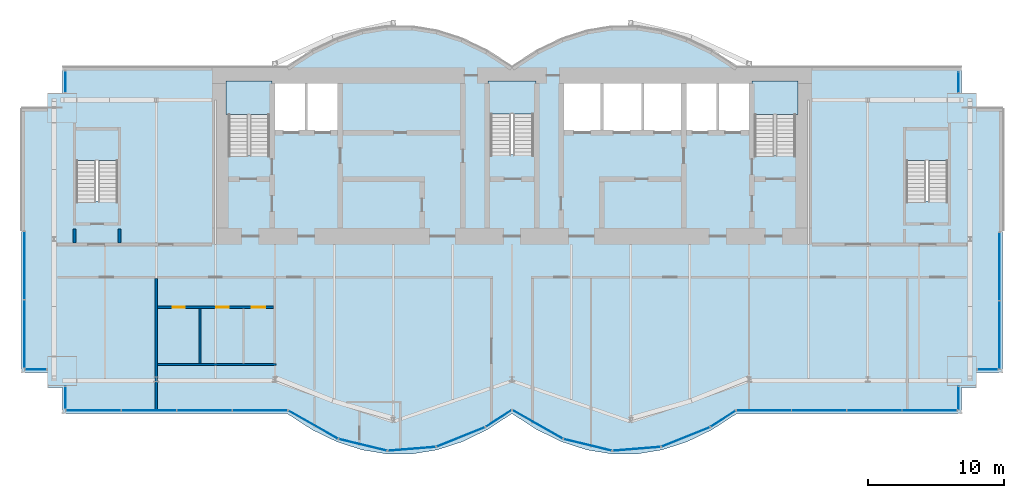
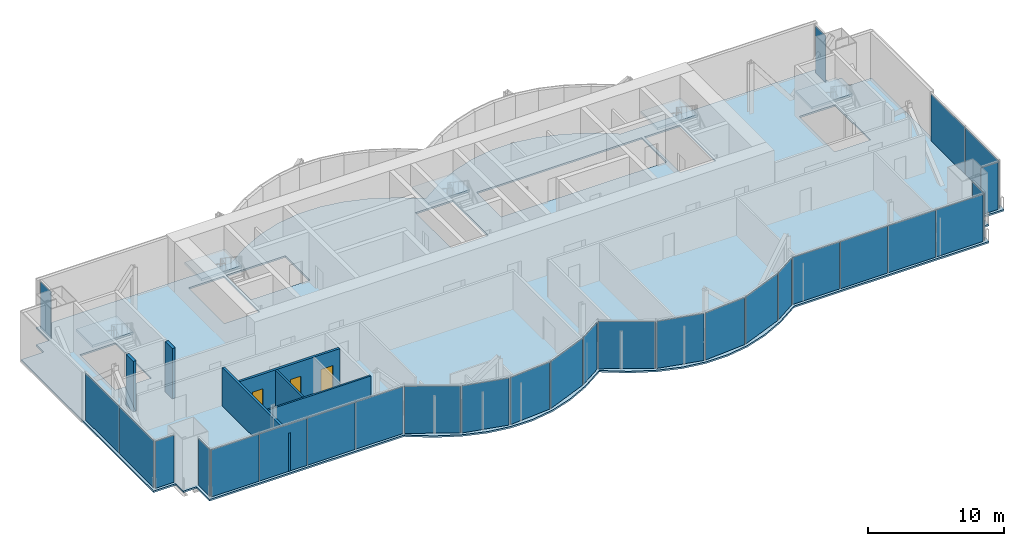
# One storey, part 9 of 16: 28 plates, 6 slabs, 6 walls, 3 doors, 3 openings, 17 elements without a shape of their own.
"""IFC4 building model written with IfcOpenShell, lengths in metres."""

from ifc_helpers import new_model, si_unit, direction, frame, frame_2d, origin, origin_2d, place, context, subcontext, project, spatial, polyline, rectangle, outline, extrude, material, layer, layer_set, type_object, element, fill, aggregate, save


model = new_model("IFC4")

# Units and contexts
model_context = context("Model", 3, precision=1e-05, world=origin(), true_north=direction((0.0, 1.0)))
body_context = subcontext(model_context, "Body", "Model", "MODEL_VIEW")
ifc_project = project(units=[si_unit("LENGTHUNIT", "METRE"), si_unit("AREAUNIT", "SQUARE_METRE"), si_unit("VOLUMEUNIT", "CUBIC_METRE"), si_unit("PLANEANGLEUNIT", "RADIAN"), si_unit("MASSUNIT", "GRAM", prefix="KILO")], contexts=[model_context])

# Site, building, storey
site_placement = place(None, origin())
site = spatial("IfcSite", under=ifc_project, at=site_placement, CompositionType="ELEMENT")
building_placement = place(site_placement, origin())
building = spatial("IfcBuilding", under=site, at=building_placement, Name="Bicima Exchange Tower", CompositionType="ELEMENT")
storey_placement = place(building_placement, frame((0.0, 0.0, 329.0)))
storey = spatial("IfcBuildingStorey", under=building, at=storey_placement, Name="L74", CompositionType="ELEMENT", Elevation=329.0)

# Slab
ifc_material_1 = material(Name="Concrete C40/50", Category="concrete")
ifc_layer_1 = layer(ifc_material_1, 0.14990234375)
ifc_layer_set_1 = layer_set([ifc_layer_1], Name="Concrete C40/50")
slab_type_1 = type_object("IfcSlabType", Name="Composite floor slab 150", PredefinedType="FLOOR", material=ifc_layer_set_1)
slab_1_placement = place(storey_placement, frame((0.0, 0.0, -0.14990234375)))
element("IfcSlab", 1, at=slab_1_placement, inside=storey, type_object=slab_type_1, Name="Floor slab", PredefinedType="FLOOR", context=body_context, shape_type="SweptSolid", body=[
    extrude(outline(polyline([(-36.0, -22.407958984375), (-36.0, -3.0), (-34.10009765625, -3.0), (-34.10009765625, -1.89990234375), (-33.0, -1.89990234375), (-33.0, 0.0), (-16.5, 0.0), (-14.666748046875, 1.185302734375), (-12.833251953125, 2.07421875), (-11.0, 2.666748046875), (-9.166748046875, 2.962890625), (-7.333251953125, 2.962890625), (-5.5, 2.666748046875), (-3.666748046875, 2.07421875), (-1.833251953125, 1.185302734375), (0.0, 0.0), (1.833251953125, 1.185302734375), (3.666748046875, 2.07421875), (5.5, 2.666748046875), (7.333251953125, 2.962890625), (9.166748046875, 2.962890625), (11.0, 2.666748046875), (12.833251953125, 2.07421875), (14.666748046875, 1.185302734375), (16.5, 0.0), (33.0, 0.0), (33.0, -1.89990234375), (34.10009765625, -1.89990234375), (34.10009765625, -3.0), (36.0, -3.0), (36.0, -22.407958984375), (34.10009765625, -22.407958984375), (34.10009765625, -23.508056640625), (33.0, -23.508056640625), (33.0, -25.407958984375), (16.5, -25.407958984375), (14.666748046875, -26.59326171875), (12.833251953125, -27.482177734375), (11.0, -28.07470703125), (9.166748046875, -28.37109375), (7.333251953125, -28.37109375), (5.5, -28.07470703125), (3.666748046875, -27.482177734375), (1.833251953125, -26.59326171875), (0.0, -25.407958984375), (-1.833251953125, -26.59326171875), (-3.666748046875, -27.482177734375), (-5.5, -28.07470703125), (-7.333251953125, -28.37109375), (-9.166748046875, -28.37109375), (-11.0, -28.07470703125), (-12.833251953125, -27.482177734375), (-14.666748046875, -26.59326171875), (-16.5, -25.407958984375), (-33.0, -25.407958984375), (-33.0, -23.508056640625), (-34.10009765625, -23.508056640625), (-34.10009765625, -22.407958984375), (-36.0, -22.407958984375)]), holes=[polyline([(-28.925048828125, -9.824951171875), (-28.925048828125, -4.625), (-31.97509765625, -4.625), (-31.97509765625, -9.824951171875), (-28.925048828125, -9.824951171875)]), polyline([(-20.800048828125, -6.449951171875), (-17.800048828125, -6.449951171875), (-17.800048828125, -1.199951171875), (-20.800048828125, -1.199951171875), (-20.800048828125, -6.449951171875)]), polyline([(-1.574951171875, -6.39990234375), (1.574951171875, -6.39990234375), (1.574951171875, -1.199951171875), (-1.574951171875, -1.199951171875), (-1.574951171875, -6.39990234375)]), polyline([(-12.60009765625, -1.199951171875), (-15.10009765625, -1.199951171875), (-17.60009765625, -1.199951171875), (-17.60009765625, -4.800048828125), (-15.10009765625, -4.800048828125), (-12.60009765625, -4.800048828125), (-12.60009765625, -1.199951171875)]), polyline([(3.60009765625, -4.800048828125), (6.60009765625, -4.800048828125), (9.60009765625, -4.800048828125), (12.60009765625, -4.800048828125), (15.10009765625, -4.800048828125), (17.60009765625, -4.800048828125), (17.60009765625, -1.199951171875), (15.10009765625, -1.199951171875), (12.60009765625, -1.199951171875), (9.60009765625, -1.199951171875), (6.60009765625, -1.199951171875), (3.60009765625, -1.199951171875), (3.60009765625, -4.800048828125)]), polyline([(31.97509765625, -9.824951171875), (31.97509765625, -4.625), (28.925048828125, -4.625), (28.925048828125, -9.824951171875), (31.97509765625, -9.824951171875)]), polyline([(17.800048828125, -6.449951171875), (20.800048828125, -6.449951171875), (20.800048828125, -1.199951171875), (17.800048828125, -1.199951171875), (17.800048828125, -6.449951171875)])]), origin(), (0.0, 0.0, 1.0), 0.14990234375),
])

# Curtain wall, plates
ifc_material_2 = material(Name="Anodised bronze aluminium", Category="aluminium")
curtain_wall_type_1 = type_object("IfcCurtainWallType", Name="End face glass wall", PredefinedType="NOTDEFINED", material=ifc_material_2)
curtain_wall_1_placement = place(storey_placement, origin())
curtain_wall_1 = element("IfcCurtainWall", 2, at=curtain_wall_1_placement, inside=storey, type_object=curtain_wall_type_1, Name="End face glass wall L74 run 2", PredefinedType="NOTDEFINED")
ifc_material_3 = material(Name="Bronze anodised aluminium", Category="aluminium")
ifc_layer_2 = layer(ifc_material_3, 0.031982421875)
ifc_layer_set_2 = layer_set([ifc_layer_2], Name="Bronze anodised aluminium")
plate_type_1 = type_object("IfcPlateType", Name="End face glass wall spandrel panel 32", PredefinedType="CURTAIN_PANEL", material=ifc_layer_set_2)
plate_1_placement = place(storey_placement, frame((-35.77001953125, -14.53955078125, 0.0), z_axis=(0.0, 0.0, 1.0), x_axis=(0.0, -1.0, 0.0)))
plate_1 = element("IfcPlate", 3, at=plate_1_placement, type_object=plate_type_1, Name="End face spandrel wall panel 1.1", PredefinedType="CURTAIN_PANEL", context=body_context, shape_type="SweptSolid", body=[
    extrude(rectangle(XDim=4.958984375, YDim=0.031982421875, at=origin_2d()), origin(), (0.0, 0.0, 1.0), 4.2099609375),
])
plate_2_placement = place(storey_placement, frame((-35.77001953125, -19.55859375, 0.0), z_axis=(0.0, 0.0, 1.0), x_axis=(0.0, -1.0, 0.0)))
plate_2 = element("IfcPlate", 4, at=plate_2_placement, type_object=plate_type_1, Name="End face spandrel wall panel 2.1", PredefinedType="CURTAIN_PANEL", context=body_context, shape_type="SweptSolid", body=[
    extrude(rectangle(XDim=4.958984375, YDim=0.031982421875, at=origin_2d()), origin(), (0.0, 0.0, 1.0), 4.2099609375),
])
aggregate(curtain_wall_1, [plate_1, plate_2])

curtain_wall_2_placement = place(storey_placement, origin())
curtain_wall_2 = element("IfcCurtainWall", 5, at=curtain_wall_2_placement, inside=storey, type_object=curtain_wall_type_1, Name="End face glass wall L74 run 19", PredefinedType="NOTDEFINED")
plate_3_placement = place(storey_placement, frame((35.77001953125, -19.638427734375, 0.0), z_axis=(0.0, 0.0, 1.0), x_axis=(0.0, 1.0, 0.0)))
plate_3 = element("IfcPlate", 6, at=plate_3_placement, type_object=plate_type_1, Name="End face spandrel wall panel 1.1", PredefinedType="CURTAIN_PANEL", context=body_context, shape_type="SweptSolid", body=[
    extrude(rectangle(XDim=4.958984375, YDim=0.031982421875, at=origin_2d()), origin(), (0.0, 0.0, 1.0), 4.2099609375),
])
plate_4_placement = place(storey_placement, frame((35.77001953125, -14.619384765625, 0.0), z_axis=(0.0, 0.0, 1.0), x_axis=(0.0, 1.0, 0.0)))
plate_4 = element("IfcPlate", 7, at=plate_4_placement, type_object=plate_type_1, Name="End face spandrel wall panel 2.1", PredefinedType="CURTAIN_PANEL", context=body_context, shape_type="SweptSolid", body=[
    extrude(rectangle(XDim=4.958984375, YDim=0.031982421875, at=origin_2d()), origin(), (0.0, 0.0, 1.0), 4.2099609375),
])
aggregate(curtain_wall_2, [plate_3, plate_4])

# Curtain wall, plate
curtain_wall_type_2 = type_object("IfcCurtainWallType", Name="Front glass wall", PredefinedType="NOTDEFINED", material=ifc_material_2)
curtain_wall_3_placement = place(storey_placement, origin())
curtain_wall_3 = element("IfcCurtainWall", 8, at=curtain_wall_3_placement, inside=storey, type_object=curtain_wall_type_2, Name="Front glass wall L74 run 1", PredefinedType="NOTDEFINED")
ifc_material_4 = material(Name="Bronze tinted glass", Category="glass")
ifc_layer_3 = layer(ifc_material_4, 0.031982421875)
ifc_layer_set_3 = layer_set([ifc_layer_3], Name="Bronze tinted glass")
plate_type_2 = type_object("IfcPlateType", Name="Front glass wall glass panel 32", PredefinedType="CURTAIN_PANEL", material=ifc_layer_set_3)
plate_5_placement = place(storey_placement, frame((-32.77001953125, -1.06494140625, 0.0), z_axis=(0.0, 0.0, 1.0), x_axis=(0.0, -1.0, 0.0)))
plate_5 = element("IfcPlate", 9, at=plate_5_placement, type_object=plate_type_2, Name="Front glass wall panel 1.1", PredefinedType="CURTAIN_PANEL", context=body_context, shape_type="SweptSolid", body=[
    extrude(rectangle(XDim=1.550048828125, YDim=0.031982421875, at=origin_2d()), origin(), (0.0, 0.0, 1.0), 4.2099609375),
])
aggregate(curtain_wall_3, [plate_5])

curtain_wall_4_placement = place(storey_placement, origin())
curtain_wall_4 = element("IfcCurtainWall", 10, at=curtain_wall_4_placement, inside=storey, type_object=curtain_wall_type_2, Name="Front glass wall L74 run 3", PredefinedType="NOTDEFINED")
plate_6_placement = place(storey_placement, frame((-34.93505859375, -22.177978515625, 0.0), z_axis=(0.0, 0.0, 1.0), x_axis=(1.0, 0.0, 0.0)))
plate_6 = element("IfcPlate", 11, at=plate_6_placement, type_object=plate_type_2, Name="Front glass wall panel 1.1", PredefinedType="CURTAIN_PANEL", context=body_context, shape_type="SweptSolid", body=[
    extrude(rectangle(XDim=1.550048828125, YDim=0.031982421875, at=origin_2d()), origin(), (0.0, 0.0, 1.0), 4.2099609375),
])
aggregate(curtain_wall_4, [plate_6])

curtain_wall_5_placement = place(storey_placement, origin())
curtain_wall_5 = element("IfcCurtainWall", 12, at=curtain_wall_5_placement, inside=storey, type_object=curtain_wall_type_2, Name="Front glass wall L74 run 4", PredefinedType="NOTDEFINED")
plate_7_placement = place(storey_placement, frame((-32.77001953125, -24.241943359375, 0.0), z_axis=(0.0, 0.0, 1.0), x_axis=(0.0, -1.0, 0.0)))
plate_7 = element("IfcPlate", 13, at=plate_7_placement, type_object=plate_type_2, Name="Front glass wall panel 1.1", PredefinedType="CURTAIN_PANEL", context=body_context, shape_type="SweptSolid", body=[
    extrude(rectangle(XDim=1.592041015625, YDim=0.031982421875, at=origin_2d()), origin(), (0.0, 0.0, 1.0), 4.2099609375),
])
aggregate(curtain_wall_5, [plate_7])

# Curtain wall, plates
curtain_wall_6_placement = place(storey_placement, origin())
curtain_wall_6 = element("IfcCurtainWall", 14, at=curtain_wall_6_placement, inside=storey, type_object=curtain_wall_type_2, Name="Front glass wall L74 run 5", PredefinedType="NOTDEFINED")
plate_8_placement = place(storey_placement, frame((-30.705322265625, -25.177978515625, 0.0), z_axis=(0.0, 0.0, 1.0), x_axis=(1.0, 0.0, 0.0)))
plate_8 = element("IfcPlate", 15, at=plate_8_placement, type_object=plate_type_2, Name="Front glass wall panel 1.1", PredefinedType="CURTAIN_PANEL", context=body_context, shape_type="SweptSolid", body=[
    extrude(rectangle(XDim=4.009521484375, YDim=0.031982421875, at=origin_2d()), origin(), (0.0, 0.0, 1.0), 4.2099609375),
])
plate_9_placement = place(storey_placement, frame((-18.496826171875, -25.177978515625, 0.0), z_axis=(0.0, 0.0, 1.0), x_axis=(1.0, 0.0, 0.0)))
plate_9 = element("IfcPlate", 16, at=plate_9_placement, type_object=plate_type_2, Name="Front glass wall panel 4.1", PredefinedType="CURTAIN_PANEL", context=body_context, shape_type="SweptSolid", body=[
    extrude(rectangle(XDim=4.009521484375, YDim=0.031982421875, at=origin_2d()), origin(), (0.0, 0.0, 1.0), 4.2099609375),
])

curtain_wall_7_placement = place(storey_placement, origin())
curtain_wall_7 = element("IfcCurtainWall", 17, at=curtain_wall_7_placement, inside=storey, type_object=curtain_wall_type_2, Name="Front glass wall L74 run 6", PredefinedType="NOTDEFINED")
plate_10_placement = place(storey_placement, frame((-14.589599609375, -26.22314453125, 0.0), z_axis=(0.0, 0.0, 1.0), x_axis=(0.869805110681, -0.493395449343, 0.0)))
plate_10 = element("IfcPlate", 18, at=plate_10_placement, type_object=plate_type_2, Name="Front glass wall panel 1.1", PredefinedType="CURTAIN_PANEL", context=body_context, shape_type="SweptSolid", body=[
    extrude(rectangle(XDim=4.1162109375, YDim=0.031982421875, at=origin_2d()), origin(), (0.0, 0.0, 1.0), 4.2099609375),
])
plate_11_placement = place(storey_placement, frame((-3.750244140625, -27.121337890625, 0.0), z_axis=(0.0, 0.0, 1.0), x_axis=(0.92714396679, 0.374705304, 0.0)))
plate_11 = element("IfcPlate", 19, at=plate_11_placement, type_object=plate_type_2, Name="Front glass wall panel 1.1", PredefinedType="CURTAIN_PANEL", context=body_context, shape_type="SweptSolid", body=[
    extrude(rectangle(XDim=3.771240234375, YDim=0.031982421875, at=origin_2d()), origin(), (0.0, 0.0, 1.0), 4.2099609375),
])
plate_12_placement = place(storey_placement, frame((-0.97314453125, -25.76318359375, 0.0), z_axis=(0.0, 0.0, 1.0), x_axis=(0.839798994301, 0.542897457326, 0.0)))
plate_12 = element("IfcPlate", 20, at=plate_12_placement, type_object=plate_type_2, Name="Front glass wall panel 1.1", PredefinedType="CURTAIN_PANEL", context=body_context, shape_type="SweptSolid", body=[
    extrude(rectangle(XDim=2.197509765625, YDim=0.031982421875, at=origin_2d()), origin(), (0.0, 0.0, 1.0), 4.2099609375),
])

curtain_wall_8_placement = place(storey_placement, origin())
curtain_wall_8 = element("IfcCurtainWall", 21, at=curtain_wall_8_placement, inside=storey, type_object=curtain_wall_type_2, Name="Front glass wall L74 run 11", PredefinedType="NOTDEFINED")
plate_13_placement = place(storey_placement, frame((1.876220703125, -26.201171875, 0.0), z_axis=(0.0, 0.0, 1.0), x_axis=(0.869274147378, -0.494330311331, 0.0)))
plate_13 = element("IfcPlate", 22, at=plate_13_placement, type_object=plate_type_2, Name="Front glass wall panel 1.1", PredefinedType="CURTAIN_PANEL", context=body_context, shape_type="SweptSolid", body=[
    extrude(rectangle(XDim=4.197021484375, YDim=0.031982421875, at=origin_2d()), origin(), (0.0, 0.0, 1.0), 4.2099609375),
])
plate_14_placement = place(storey_placement, frame((5.55224609375, -27.70458984375, 0.0), z_axis=(0.0, 0.0, 1.0), x_axis=(0.971830343553, -0.235681529503, 0.0)))
plate_14 = element("IfcPlate", 23, at=plate_14_placement, type_object=plate_type_2, Name="Front glass wall panel 1.1", PredefinedType="CURTAIN_PANEL", context=body_context, shape_type="SweptSolid", body=[
    extrude(rectangle(XDim=3.583251953125, YDim=0.031982421875, at=origin_2d()), origin(), (0.0, 0.0, 1.0), 4.2099609375),
])
plate_15_placement = place(storey_placement, frame((12.749755859375, -27.121337890625, 0.0), z_axis=(0.0, 0.0, 1.0), x_axis=(0.92714396679, 0.374705304, 0.0)))
plate_15 = element("IfcPlate", 24, at=plate_15_placement, type_object=plate_type_2, Name="Front glass wall panel 1.1", PredefinedType="CURTAIN_PANEL", context=body_context, shape_type="SweptSolid", body=[
    extrude(rectangle(XDim=3.771240234375, YDim=0.031982421875, at=origin_2d()), origin(), (0.0, 0.0, 1.0), 4.2099609375),
])
plate_16_placement = place(storey_placement, frame((15.492919921875, -25.78515625, 0.0), z_axis=(0.0, 0.0, 1.0), x_axis=(0.839791413941, 0.542909183079, 0.0)))
plate_16 = element("IfcPlate", 25, at=plate_16_placement, type_object=plate_type_2, Name="Front glass wall panel 1.1", PredefinedType="CURTAIN_PANEL", context=body_context, shape_type="SweptSolid", body=[
    extrude(rectangle(XDim=2.11669921875, YDim=0.031982421875, at=origin_2d()), origin(), (0.0, 0.0, 1.0), 4.2099609375),
])

curtain_wall_9_placement = place(storey_placement, origin())
curtain_wall_9 = element("IfcCurtainWall", 26, at=curtain_wall_9_placement, inside=storey, type_object=curtain_wall_type_2, Name="Front glass wall L74 run 16", PredefinedType="NOTDEFINED")
plate_17_placement = place(storey_placement, frame((18.48681640625, -25.177978515625, 0.0), z_axis=(0.0, 0.0, 1.0), x_axis=(1.0, 0.0, 0.0)))
plate_17 = element("IfcPlate", 27, at=plate_17_placement, type_object=plate_type_2, Name="Front glass wall panel 1.1", PredefinedType="CURTAIN_PANEL", context=body_context, shape_type="SweptSolid", body=[
    extrude(rectangle(XDim=3.989501953125, YDim=0.031982421875, at=origin_2d()), origin(), (0.0, 0.0, 1.0), 4.2099609375),
])
plate_18_placement = place(storey_placement, frame((30.63525390625, -25.177978515625, 0.0), z_axis=(0.0, 0.0, 1.0), x_axis=(1.0, 0.0, 0.0)))
plate_18 = element("IfcPlate", 28, at=plate_18_placement, type_object=plate_type_2, Name="Front glass wall panel 4.1", PredefinedType="CURTAIN_PANEL", context=body_context, shape_type="SweptSolid", body=[
    extrude(rectangle(XDim=3.989501953125, YDim=0.031982421875, at=origin_2d()), origin(), (0.0, 0.0, 1.0), 4.2099609375),
])

# Curtain wall, plate
curtain_wall_10_placement = place(storey_placement, origin())
curtain_wall_10 = element("IfcCurtainWall", 29, at=curtain_wall_10_placement, inside=storey, type_object=curtain_wall_type_2, Name="Front glass wall L74 run 17", PredefinedType="NOTDEFINED")
plate_19_placement = place(storey_placement, frame((32.77001953125, -24.281982421875, 0.0), z_axis=(0.0, 0.0, 1.0), x_axis=(0.0, 1.0, 0.0)))
plate_19 = element("IfcPlate", 30, at=plate_19_placement, type_object=plate_type_2, Name="Front glass wall panel 1.1", PredefinedType="CURTAIN_PANEL", context=body_context, shape_type="SweptSolid", body=[
    extrude(rectangle(XDim=1.672119140625, YDim=0.031982421875, at=origin_2d()), origin(), (0.0, 0.0, 1.0), 4.2099609375),
])
aggregate(curtain_wall_10, [plate_19])

curtain_wall_11_placement = place(storey_placement, origin())
curtain_wall_11 = element("IfcCurtainWall", 31, at=curtain_wall_11_placement, inside=storey, type_object=curtain_wall_type_2, Name="Front glass wall L74 run 18", PredefinedType="NOTDEFINED")
plate_20_placement = place(storey_placement, frame((34.89501953125, -22.177978515625, 0.0), z_axis=(0.0, 0.0, 1.0), x_axis=(1.0, 0.0, 0.0)))
plate_20 = element("IfcPlate", 32, at=plate_20_placement, type_object=plate_type_2, Name="Front glass wall panel 1.1", PredefinedType="CURTAIN_PANEL", context=body_context, shape_type="SweptSolid", body=[
    extrude(rectangle(XDim=1.469970703125, YDim=0.031982421875, at=origin_2d()), origin(), (0.0, 0.0, 1.0), 4.2099609375),
])
aggregate(curtain_wall_11, [plate_20])

curtain_wall_12_placement = place(storey_placement, origin())
curtain_wall_12 = element("IfcCurtainWall", 33, at=curtain_wall_12_placement, inside=storey, type_object=curtain_wall_type_2, Name="Front glass wall L74 run 20", PredefinedType="NOTDEFINED")
plate_21_placement = place(storey_placement, frame((32.77001953125, -1.10498046875, 0.0), z_axis=(0.0, 0.0, 1.0), x_axis=(0.0, 1.0, 0.0)))
plate_21 = element("IfcPlate", 34, at=plate_21_placement, type_object=plate_type_2, Name="Front glass wall panel 1.1", PredefinedType="CURTAIN_PANEL", context=body_context, shape_type="SweptSolid", body=[
    extrude(rectangle(XDim=1.469970703125, YDim=0.031982421875, at=origin_2d()), origin(), (0.0, 0.0, 1.0), 4.2099609375),
])
aggregate(curtain_wall_12, [plate_21])

# Plate
ifc_layer_4 = layer(ifc_material_3, 0.031982421875)
ifc_layer_set_4 = layer_set([ifc_layer_4], Name="Bronze anodised aluminium")
plate_type_3 = type_object("IfcPlateType", Name="Front glass wall spandrel panel 32", PredefinedType="CURTAIN_PANEL", material=ifc_layer_set_4)
plate_22_placement = place(storey_placement, frame((-26.6357421875, -25.177978515625, 0.0), z_axis=(0.0, 0.0, 1.0), x_axis=(1.0, 0.0, 0.0)))
plate_22 = element("IfcPlate", 35, at=plate_22_placement, type_object=plate_type_3, Name="Front spandrel wall panel 2.1", PredefinedType="CURTAIN_PANEL", context=body_context, shape_type="SweptSolid", body=[
    extrude(rectangle(XDim=4.009521484375, YDim=0.031982421875, at=origin_2d()), origin(), (0.0, 0.0, 1.0), 4.2099609375),
])

plate_23_placement = place(storey_placement, frame((-22.56640625, -25.177978515625, 0.0), z_axis=(0.0, 0.0, 1.0), x_axis=(1.0, 0.0, 0.0)))
plate_23 = element("IfcPlate", 36, at=plate_23_placement, type_object=plate_type_3, Name="Front spandrel wall panel 3.1", PredefinedType="CURTAIN_PANEL", context=body_context, shape_type="SweptSolid", body=[
    extrude(rectangle(XDim=4.009521484375, YDim=0.031982421875, at=origin_2d()), origin(), (0.0, 0.0, 1.0), 4.2099609375),
])

aggregate(curtain_wall_6, [plate_8, plate_22, plate_23, plate_9])

plate_24_placement = place(storey_placement, frame((-10.94775390625, -27.70458984375, 0.0), z_axis=(0.0, 0.0, 1.0), x_axis=(0.971830343553, -0.235681529503, 0.0)))
plate_24 = element("IfcPlate", 37, at=plate_24_placement, type_object=plate_type_3, Name="Front spandrel wall panel 1.1", PredefinedType="CURTAIN_PANEL", context=body_context, shape_type="SweptSolid", body=[
    extrude(rectangle(XDim=3.583251953125, YDim=0.031982421875, at=origin_2d()), origin(), (0.0, 0.0, 1.0), 4.2099609375),
])

plate_25_placement = place(storey_placement, frame((-7.35107421875, -27.99560546875, 0.0), z_axis=(0.0, 0.0, 1.0), x_axis=(0.99674744821, 0.080588612633, 0.0)))
plate_25 = element("IfcPlate", 38, at=plate_25_placement, type_object=plate_type_3, Name="Front spandrel wall panel 1.1", PredefinedType="CURTAIN_PANEL", context=body_context, shape_type="SweptSolid", body=[
    extrude(rectangle(XDim=3.486083984375, YDim=0.031982421875, at=origin_2d()), origin(), (0.0, 0.0, 1.0), 4.2099609375),
])

aggregate(curtain_wall_7, [plate_10, plate_24, plate_25, plate_11, plate_12])

plate_26_placement = place(storey_placement, frame((9.14892578125, -27.99560546875, 0.0), z_axis=(0.0, 0.0, 1.0), x_axis=(0.99674744821, 0.080588612633, 0.0)))
plate_26 = element("IfcPlate", 39, at=plate_26_placement, type_object=plate_type_3, Name="Front spandrel wall panel 1.1", PredefinedType="CURTAIN_PANEL", context=body_context, shape_type="SweptSolid", body=[
    extrude(rectangle(XDim=3.486083984375, YDim=0.031982421875, at=origin_2d()), origin(), (0.0, 0.0, 1.0), 4.2099609375),
])

aggregate(curtain_wall_8, [plate_13, plate_14, plate_26, plate_15, plate_16])

plate_27_placement = place(storey_placement, frame((22.536376953125, -25.177978515625, 0.0), z_axis=(0.0, 0.0, 1.0), x_axis=(1.0, 0.0, 0.0)))
plate_27 = element("IfcPlate", 40, at=plate_27_placement, type_object=plate_type_3, Name="Front spandrel wall panel 2.1", PredefinedType="CURTAIN_PANEL", context=body_context, shape_type="SweptSolid", body=[
    extrude(rectangle(XDim=3.989501953125, YDim=0.031982421875, at=origin_2d()), origin(), (0.0, 0.0, 1.0), 4.2099609375),
])

plate_28_placement = place(storey_placement, frame((26.585693359375, -25.177978515625, 0.0), z_axis=(0.0, 0.0, 1.0), x_axis=(1.0, 0.0, 0.0)))
plate_28 = element("IfcPlate", 41, at=plate_28_placement, type_object=plate_type_3, Name="Front spandrel wall panel 3.1", PredefinedType="CURTAIN_PANEL", context=body_context, shape_type="SweptSolid", body=[
    extrude(rectangle(XDim=3.989501953125, YDim=0.031982421875, at=origin_2d()), origin(), (0.0, 0.0, 1.0), 4.2099609375),
])

aggregate(curtain_wall_9, [plate_17, plate_27, plate_28, plate_18])

# Stair, slab
ifc_material_5 = material(Name="Concrete C50/60", Category="concrete")
stair_type_1 = type_object("IfcStairType", Name="Exit stair", PredefinedType="HALF_TURN_STAIR", material=ifc_material_5)
stair_1_placement = place(storey_placement, origin())
stair_1 = element("IfcStair", 42, at=stair_1_placement, inside=storey, type_object=stair_type_1, Name="L74 West exit stair", PredefinedType="HALF_TURN_STAIR")
ifc_layer_5 = layer(ifc_material_5, 0.199951171875)
ifc_layer_set_5 = layer_set([ifc_layer_5], Name="Concrete C50/60")
slab_type_2 = type_object("IfcSlabType", Name="Stair landing slab", PredefinedType="LANDING", material=ifc_layer_set_5)
slab_2_placement = place(storey_placement, frame((0.0, 0.0, 2.050048828125)))
slab_2 = element("IfcSlab", 43, at=slab_2_placement, type_object=slab_type_2, Name="ST-W landing 1", PredefinedType="LANDING", context=body_context, shape_type="SweptSolid", body=[
    extrude(outline(polyline([(-17.60009765625, -3.469970703125), (-17.60009765625, -1.0), (-21.0, -1.0), (-21.0, -3.469970703125), (-17.60009765625, -3.469970703125)])), origin(), (0.0, 0.0, 1.0), 0.199951171875),
])
aggregate(stair_1, [slab_2])

stair_type_2 = type_object("IfcStairType", Name="Exit stair 1500", PredefinedType="HALF_TURN_STAIR", material=ifc_material_5)
stair_2_placement = place(storey_placement, origin())
stair_2 = element("IfcStair", 44, at=stair_2_placement, inside=storey, type_object=stair_type_2, Name="L74 Central exit stair", PredefinedType="HALF_TURN_STAIR")
slab_3_placement = place(storey_placement, frame((0.0, 0.0, 2.050048828125)))
slab_3 = element("IfcSlab", 45, at=slab_3_placement, type_object=slab_type_2, Name="ST-C landing 1", PredefinedType="LANDING", context=body_context, shape_type="SweptSolid", body=[
    extrude(outline(polyline([(1.77490234375, -3.419921875), (1.77490234375, -1.0), (-1.77490234375, -1.0), (-1.77490234375, -3.419921875), (1.77490234375, -3.419921875)])), origin(), (0.0, 0.0, 1.0), 0.199951171875),
])
aggregate(stair_2, [slab_3])

stair_3_placement = place(storey_placement, origin())
stair_3 = element("IfcStair", 46, at=stair_3_placement, inside=storey, type_object=stair_type_1, Name="L74 East exit stair", PredefinedType="HALF_TURN_STAIR")
slab_4_placement = place(storey_placement, frame((0.0, 0.0, 2.050048828125)))
slab_4 = element("IfcSlab", 47, at=slab_4_placement, type_object=slab_type_2, Name="ST-E landing 1", PredefinedType="LANDING", context=body_context, shape_type="SweptSolid", body=[
    extrude(outline(polyline([(21.0, -3.469970703125), (21.0, -1.0), (17.60009765625, -1.0), (17.60009765625, -3.469970703125), (21.0, -3.469970703125)])), origin(), (0.0, 0.0, 1.0), 0.199951171875),
])
aggregate(stair_3, [slab_4])

stair_4_placement = place(storey_placement, origin())
stair_4 = element("IfcStair", 48, at=stair_4_placement, inside=storey, type_object=stair_type_1, Name="L74 West end exit stair", PredefinedType="HALF_TURN_STAIR")
slab_5_placement = place(storey_placement, frame((0.0, 0.0, 2.050048828125)))
slab_5 = element("IfcSlab", 49, at=slab_5_placement, type_object=slab_type_2, Name="ST-WW landing 1", PredefinedType="LANDING", context=body_context, shape_type="SweptSolid", body=[
    extrude(outline(polyline([(-28.72509765625, -6.844970703125), (-28.72509765625, -4.425048828125), (-32.175048828125, -4.425048828125), (-32.175048828125, -6.844970703125), (-28.72509765625, -6.844970703125)])), origin(), (0.0, 0.0, 1.0), 0.199951171875),
])
aggregate(stair_4, [slab_5])

stair_5_placement = place(storey_placement, origin())
stair_5 = element("IfcStair", 50, at=stair_5_placement, inside=storey, type_object=stair_type_1, Name="L74 East end exit stair", PredefinedType="HALF_TURN_STAIR")
slab_6_placement = place(storey_placement, frame((0.0, 0.0, 2.050048828125)))
slab_6 = element("IfcSlab", 51, at=slab_6_placement, type_object=slab_type_2, Name="ST-EE landing 1", PredefinedType="LANDING", context=body_context, shape_type="SweptSolid", body=[
    extrude(outline(polyline([(32.175048828125, -6.844970703125), (32.175048828125, -4.425048828125), (28.72509765625, -4.425048828125), (28.72509765625, -6.844970703125), (32.175048828125, -6.844970703125)])), origin(), (0.0, 0.0, 1.0), 0.199951171875),
])
aggregate(stair_5, [slab_6])

# Wall, openings, doors
ifc_material_6 = material(Name="Gypsum board partition")
ifc_layer_6 = layer(ifc_material_6, 0.199951171875)
ifc_layer_set_6 = layer_set([ifc_layer_6], Name="Gypsum board partition")
wall_type_1 = type_object("IfcWallType", Name="Fire-rated gypsum partition 200 EI60", PredefinedType="PARTITIONING", material=ifc_layer_set_6)
wall_1_placement = place(storey_placement, frame((-26.0, -17.60009765625, 0.0), z_axis=(0.0, 0.0, 1.0), x_axis=(1.0, 0.0, 0.0)))
wall_1 = element("IfcWall", 52, at=wall_1_placement, inside=storey, type_object=wall_type_1, Name="partition wall 3", PredefinedType="PARTITIONING", context=body_context, shape_type="SweptSolid", body=[
    extrude(rectangle(XDim=8.5, YDim=0.199951171875, at=frame_2d((4.25, 0.0))), origin(), (0.0, 0.0, 1.0), 3.418212890625),
])
opening_1_placement = place(wall_1_placement, frame((1.10009765625, 0.0, 0.0)))
opening_1 = element("IfcOpeningElement", 53, at=opening_1_placement, cuts=wall_1, Name="Opening L74-009", PredefinedType="OPENING", context=body_context, shape_type="SweptSolid", body=[
    extrude(rectangle(XDim=0.89990234375, YDim=2.10009765625, at=frame_2d((0.449951171875, 1.050048828125))), frame((0.0, 0.11181640625, 0.0), z_axis=(0.0, -1.0, 0.0), x_axis=(1.0, 0.0, 0.0)), (0.0, 0.0, 1.0), 0.223876953125),
])
opening_2_placement = place(wall_1_placement, frame((4.300048828125, 0.0, 0.0)))
opening_2 = element("IfcOpeningElement", 54, at=opening_2_placement, cuts=wall_1, Name="Opening L74-010", PredefinedType="OPENING", context=body_context, shape_type="SweptSolid", body=[
    extrude(rectangle(XDim=0.89990234375, YDim=2.10009765625, at=frame_2d((0.449951171875, 1.050048828125))), frame((0.0, 0.11181640625, 0.0), z_axis=(0.0, -1.0, 0.0), x_axis=(1.0, 0.0, 0.0)), (0.0, 0.0, 1.0), 0.223876953125),
])
opening_3_placement = place(wall_1_placement, frame((6.89990234375, 0.0, 0.0)))
opening_3 = element("IfcOpeningElement", 55, at=opening_3_placement, cuts=wall_1, Name="Opening L74-011", PredefinedType="OPENING", context=body_context, shape_type="SweptSolid", body=[
    extrude(rectangle(XDim=1.0, YDim=2.10009765625, at=frame_2d((0.5, 1.050048828125))), frame((0.0, 0.11181640625, 0.0), z_axis=(0.0, -1.0, 0.0), x_axis=(1.0, 0.0, 0.0)), (0.0, 0.0, 1.0), 0.223876953125),
])
ifc_material_7 = material(Name="Steel fire door leaf", Category="steel")
door_type_1 = type_object("IfcDoorType", Name="Door 1000 swing FD30S", OperationType="SINGLE_SWING_LEFT", PredefinedType="DOOR", material=ifc_material_7)
door_1_placement = place(opening_3_placement, frame((1.0, 0.0, 0.0), z_axis=(0.0, 0.0, 1.0), x_axis=(-1.0, 0.0, 0.0)))
door_1 = element("IfcDoor", 56, at=door_1_placement, inside=storey, type_object=door_type_1, Name="Door", OperationType="SINGLE_SWING_RIGHT", OverallHeight=2.10009765625, OverallWidth=1.0, PredefinedType="DOOR", context=body_context, shape_type="SweptSolid", body=[
    extrude(rectangle(XDim=1.0, YDim=2.10009765625, at=frame_2d((0.5, 1.050048828125))), frame((0.0, 0.02490234375, 0.0), z_axis=(0.0, -1.0, 0.0), x_axis=(1.0, 0.0, 0.0)), (0.0, 0.0, 1.0), 0.050048828125),
])
fill(opening_3, door_1)
door_type_2 = type_object("IfcDoorType", Name="Door 900 swing FD30S", OperationType="SINGLE_SWING_LEFT", PredefinedType="DOOR", material=ifc_material_7)
door_2_placement = place(opening_1_placement, frame((0.89990234375, 0.0, 0.0), z_axis=(0.0, 0.0, 1.0), x_axis=(-1.0, 0.0, 0.0)))
door_2 = element("IfcDoor", 57, at=door_2_placement, inside=storey, type_object=door_type_2, Name="Door", OperationType="SINGLE_SWING_RIGHT", OverallHeight=2.10009765625, OverallWidth=0.89990234375, PredefinedType="DOOR", context=body_context, shape_type="SweptSolid", body=[
    extrude(rectangle(XDim=0.89990234375, YDim=2.10009765625, at=frame_2d((0.449951171875, 1.050048828125))), frame((0.0, 0.02490234375, 0.0), z_axis=(0.0, -1.0, 0.0), x_axis=(1.0, 0.0, 0.0)), (0.0, 0.0, 1.0), 0.050048828125),
])
fill(opening_1, door_2)
door_3_placement = place(opening_2_placement, frame((0.89990234375, 0.0, 0.0), z_axis=(0.0, 0.0, 1.0), x_axis=(-1.0, 0.0, 0.0)))
door_3 = element("IfcDoor", 58, at=door_3_placement, inside=storey, type_object=door_type_2, Name="Door", OperationType="SINGLE_SWING_LEFT", OverallHeight=2.10009765625, OverallWidth=0.89990234375, PredefinedType="DOOR", context=body_context, shape_type="SweptSolid", body=[
    extrude(rectangle(XDim=0.89990234375, YDim=2.10009765625, at=frame_2d((0.449951171875, 1.050048828125))), frame((0.0, 0.02490234375, 0.0), z_axis=(0.0, -1.0, 0.0), x_axis=(1.0, 0.0, 0.0)), (0.0, 0.0, 1.0), 0.050048828125),
])
fill(opening_2, door_3)

# Walls
wall_2_placement = place(storey_placement, frame((-26.10009765625, -25.199951171875, 0.0), z_axis=(0.0, 0.0, 1.0), x_axis=(0.0, 1.0, 0.0)))
element("IfcWall", 59, at=wall_2_placement, inside=storey, type_object=wall_type_1, Name="partition wall 14", PredefinedType="PARTITIONING", context=body_context, shape_type="SweptSolid", body=[
    extrude(rectangle(XDim=9.699951171875, YDim=0.199951171875, at=frame_2d((4.85009765625, 0.0))), origin(), (0.0, 0.0, 1.0), 3.418212890625),
])
ifc_layer_7 = layer(ifc_material_6, 0.14990234375)
ifc_layer_set_7 = layer_set([ifc_layer_7], Name="Gypsum board partition")
wall_type_2 = type_object("IfcWallType", Name="Gypsum partition 150", PredefinedType="PARTITIONING", material=ifc_layer_set_7)
wall_3_placement = place(storey_placement, frame((-26.0, -21.800048828125, 0.0), z_axis=(0.0, 0.0, 1.0), x_axis=(1.0, 0.0, 0.0)))
element("IfcWall", 60, at=wall_3_placement, inside=storey, type_object=wall_type_2, Name="partition wall 2", PredefinedType="PARTITIONING", context=body_context, shape_type="SweptSolid", body=[
    extrude(rectangle(XDim=8.699951171875, YDim=0.14990234375, at=frame_2d((4.35009765625, 0.0))), origin(), (0.0, 0.0, 1.0), 3.418212890625),
])
wall_4_placement = place(storey_placement, frame((-22.89990234375, -21.72509765625, 0.0), z_axis=(0.0, 0.0, 1.0), x_axis=(0.0, 1.0, 0.0)))
element("IfcWall", 61, at=wall_4_placement, inside=storey, type_object=wall_type_2, Name="partition wall 15", PredefinedType="PARTITIONING", context=body_context, shape_type="SweptSolid", body=[
    extrude(rectangle(XDim=4.025146484375, YDim=0.14990234375, at=frame_2d((2.0126953125, 0.0))), origin(), (0.0, 0.0, 1.0), 3.418212890625),
])
ifc_layer_8 = layer(ifc_material_5, 0.25)
ifc_layer_set_8 = layer_set([ifc_layer_8], Name="Concrete C50/60")
wall_type_3 = type_object("IfcWallType", Name="RC core wall 250 C50/60", PredefinedType="SHEAR", material=ifc_layer_set_8)
for number, where, z_axis, x_axis, name in (
    (62, (-32.10009765625, -12.89990234375, 0.0), (0.0, 0.0, 1.0), (0.0, 1.0, 0.0), "stair wall 12"),
    (63, (-28.800048828125, -12.89990234375, 0.0), (0.0, 0.0, 1.0), (0.0, 1.0, 0.0), "stair wall 13"),
):
    element("IfcWall", number, at=place(storey_placement, frame(where, z_axis=z_axis, x_axis=x_axis)), inside=storey, type_object=wall_type_3, Name=name, PredefinedType="SHEAR", context=body_context, shape_type="SweptSolid", body=[
        extrude(rectangle(XDim=1.0498046875, YDim=0.25, at=frame_2d((0.52490234375, 0.0))), origin(), (0.0, 0.0, 1.0), 4.5),
    ])

save(model, "model.ifc")
